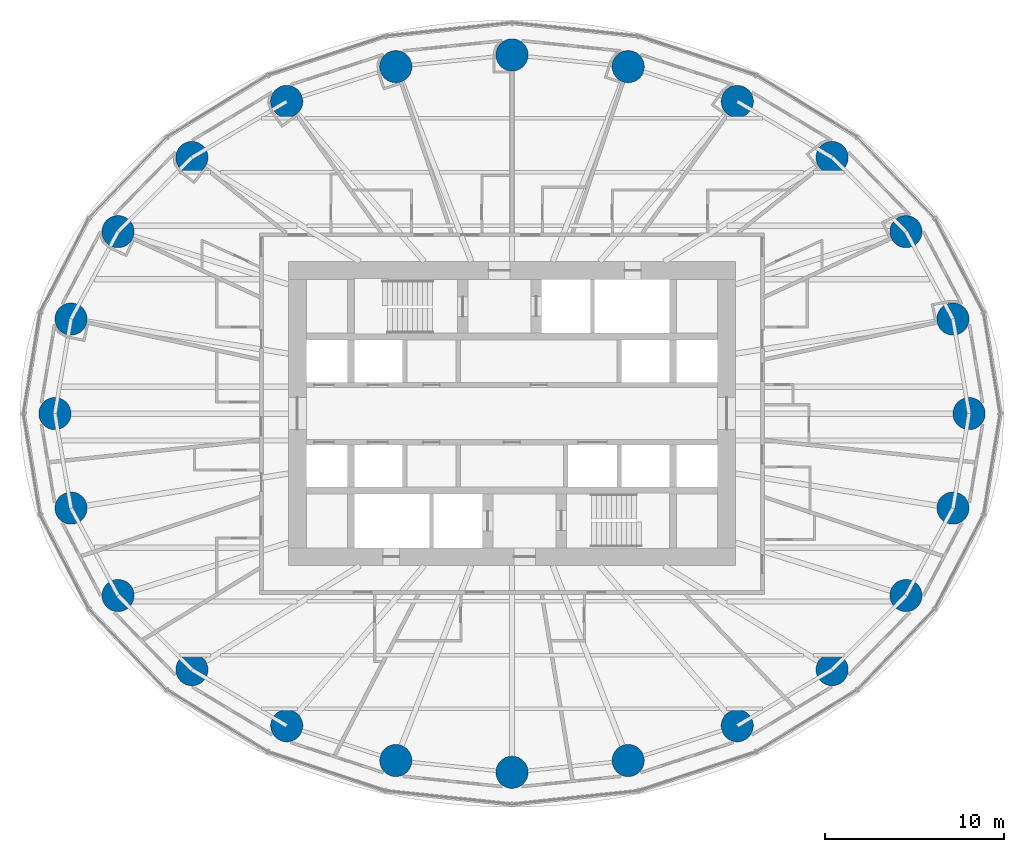
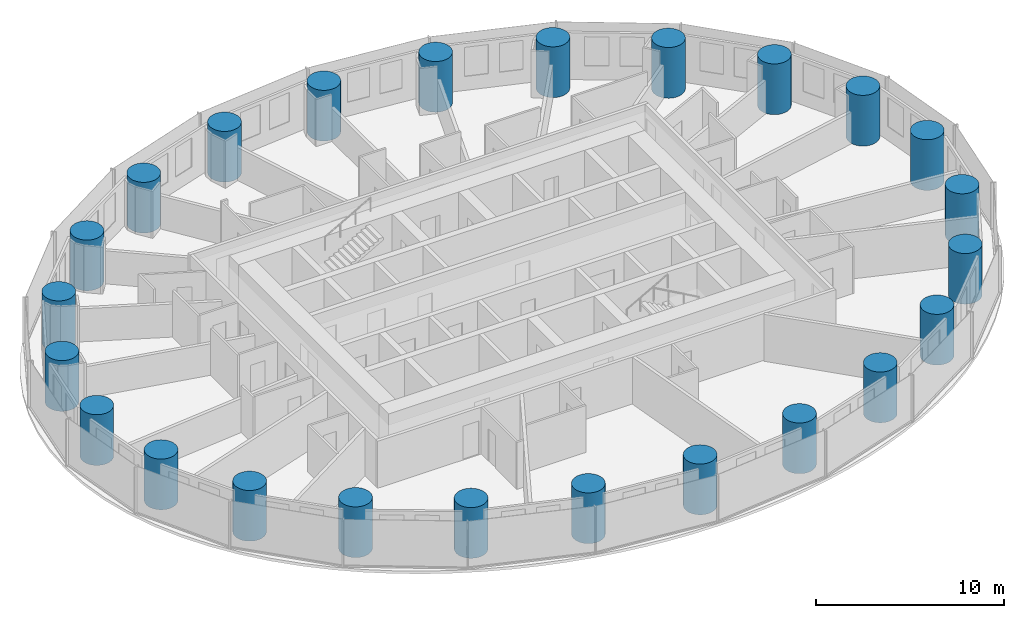
# One storey, part 1 of 13: 24 columns.
"""IFC4 building model written with IfcOpenShell, lengths in metres."""

from ifc_helpers import new_model, si_unit, direction, frame, origin, origin_2d, place, context, subcontext, project, spatial, circle, extrude, material, material_profile, profile_set, type_object, element, save


model = new_model("IFC4")

# Units and contexts
model_context = context("Model", 3, precision=1e-05, world=origin(), true_north=direction((0.0, 1.0)))
body_context = subcontext(model_context, "Body", "Model", "MODEL_VIEW")
ifc_project = project(units=[si_unit("LENGTHUNIT", "METRE"), si_unit("AREAUNIT", "SQUARE_METRE"), si_unit("VOLUMEUNIT", "CUBIC_METRE"), si_unit("PLANEANGLEUNIT", "RADIAN"), si_unit("MASSUNIT", "GRAM", prefix="KILO")], contexts=[model_context])

# Site, building, storey
site_placement = place(None, origin())
site = spatial("IfcSite", under=ifc_project, at=site_placement, CompositionType="ELEMENT")
building_placement = place(site_placement, origin())
building = spatial("IfcBuilding", under=site, at=building_placement, Name="Hankou Lantern Tower", CompositionType="ELEMENT")
storey_placement = place(building_placement, frame((0.0, 0.0, 42.60009765625)))
storey = spatial("IfcBuildingStorey", under=building, at=storey_placement, Name="L09", CompositionType="ELEMENT", Elevation=42.60009765625)

# Columns
ifc_material = material(Name="Concrete C60", Category="concrete")
ifc_material_profile = material_profile(ifc_material, circle(Radius=0.89990234375, at=origin_2d()), Name="RC D1800")
ifc_profile_set = profile_set([ifc_material_profile], Name="Concrete C60")
column_type = type_object("IfcColumnType", Name="TC1 PERIMETER COLUMN RC D1800", PredefinedType="COLUMN", material=ifc_profile_set)
for number, where, z_axis, x_axis, name in (
    (1, (25.550048828125, 0.0, 0.0), (0.0, 0.0, 1.0), (1.0, 0.0, 0.0), "Column R01 L09"),
    (2, (24.64697265625, 5.283203125, 0.0), (0.0, 0.0, 1.0), (1.0, 0.0, 0.0), "Column R02 L09"),
    (3, (22.01904296875, 10.170166015625, 0.0), (0.0, 0.0, 1.0), (1.0, 0.0, 0.0), "Column R03 L09"),
    (4, (17.891845703125, 14.3134765625, 0.0), (0.0, 0.0, 1.0), (1.0, 0.0, 0.0), "Column R04 L09"),
    (5, (12.5908203125, 17.446533203125, 0.0), (0.0, 0.0, 1.0), (1.0, 0.0, 0.0), "Column R05 L09"),
    (6, (6.494873046875, 19.391357421875, 0.0), (0.0, 0.0, 1.0), (1.0, 0.0, 0.0), "Column R06 L09"),
    (7, (0.0, 20.050048828125, 0.0), (0.0, 0.0, 1.0), (1.0, 0.0, 0.0), "Column R07 L09"),
    (8, (-6.494873046875, 19.391357421875, 0.0), (0.0, 0.0, 1.0), (1.0, 0.0, 0.0), "Column R08 L09"),
    (9, (-12.5908203125, 17.446533203125, 0.0), (0.0, 0.0, 1.0), (1.0, 0.0, 0.0), "Column R09 L09"),
    (10, (-17.891845703125, 14.3134765625, 0.0), (0.0, 0.0, 1.0), (1.0, 0.0, 0.0), "Column R10 L09"),
    (11, (-22.01904296875, 10.170166015625, 0.0), (0.0, 0.0, 1.0), (1.0, 0.0, 0.0), "Column R11 L09"),
    (12, (-24.64697265625, 5.283203125, 0.0), (0.0, 0.0, 1.0), (1.0, 0.0, 0.0), "Column R12 L09"),
    (13, (-25.550048828125, 0.0, 0.0), (0.0, 0.0, 1.0), (1.0, 0.0, 0.0), "Column R13 L09"),
    (14, (-24.64697265625, -5.283203125, 0.0), (0.0, 0.0, 1.0), (1.0, 0.0, 0.0), "Column R14 L09"),
    (15, (-22.01904296875, -10.170166015625, 0.0), (0.0, 0.0, 1.0), (1.0, 0.0, 0.0), "Column R15 L09"),
    (16, (-17.891845703125, -14.3134765625, 0.0), (0.0, 0.0, 1.0), (1.0, 0.0, 0.0), "Column R16 L09"),
    (17, (-12.5908203125, -17.446533203125, 0.0), (0.0, 0.0, 1.0), (1.0, 0.0, 0.0), "Column R17 L09"),
    (18, (-6.494873046875, -19.391357421875, 0.0), (0.0, 0.0, 1.0), (1.0, 0.0, 0.0), "Column R18 L09"),
    (19, (0.0, -20.050048828125, 0.0), (0.0, 0.0, 1.0), (1.0, 0.0, 0.0), "Column R19 L09"),
    (20, (6.494873046875, -19.391357421875, 0.0), (0.0, 0.0, 1.0), (1.0, 0.0, 0.0), "Column R20 L09"),
    (21, (12.5908203125, -17.446533203125, 0.0), (0.0, 0.0, 1.0), (1.0, 0.0, 0.0), "Column R21 L09"),
    (22, (17.891845703125, -14.3134765625, 0.0), (0.0, 0.0, 1.0), (1.0, 0.0, 0.0), "Column R22 L09"),
    (23, (22.01904296875, -10.170166015625, 0.0), (0.0, 0.0, 1.0), (1.0, 0.0, 0.0), "Column R23 L09"),
    (24, (24.64697265625, -5.283203125, 0.0), (0.0, 0.0, 1.0), (1.0, 0.0, 0.0), "Column R24 L09"),
):
    element("IfcColumn", number, at=place(storey_placement, frame(where, z_axis=z_axis, x_axis=x_axis)), inside=storey, type_object=column_type, Name=name, PredefinedType="COLUMN", context=body_context, shape_type="SweptSolid", body=[
        extrude(circle(Radius=0.89990234375, at=origin_2d()), origin(), (0.0, 0.0, 1.0), 3.2998046875),
    ])

save(model, "model.ifc")
